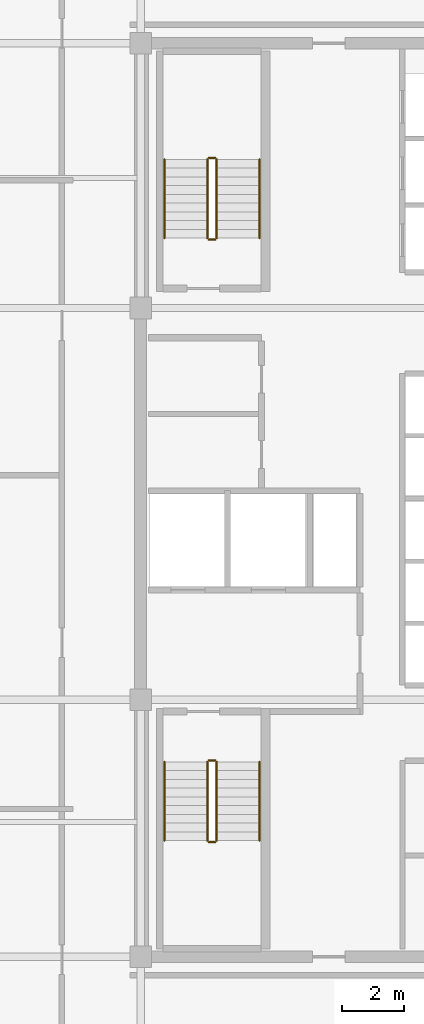
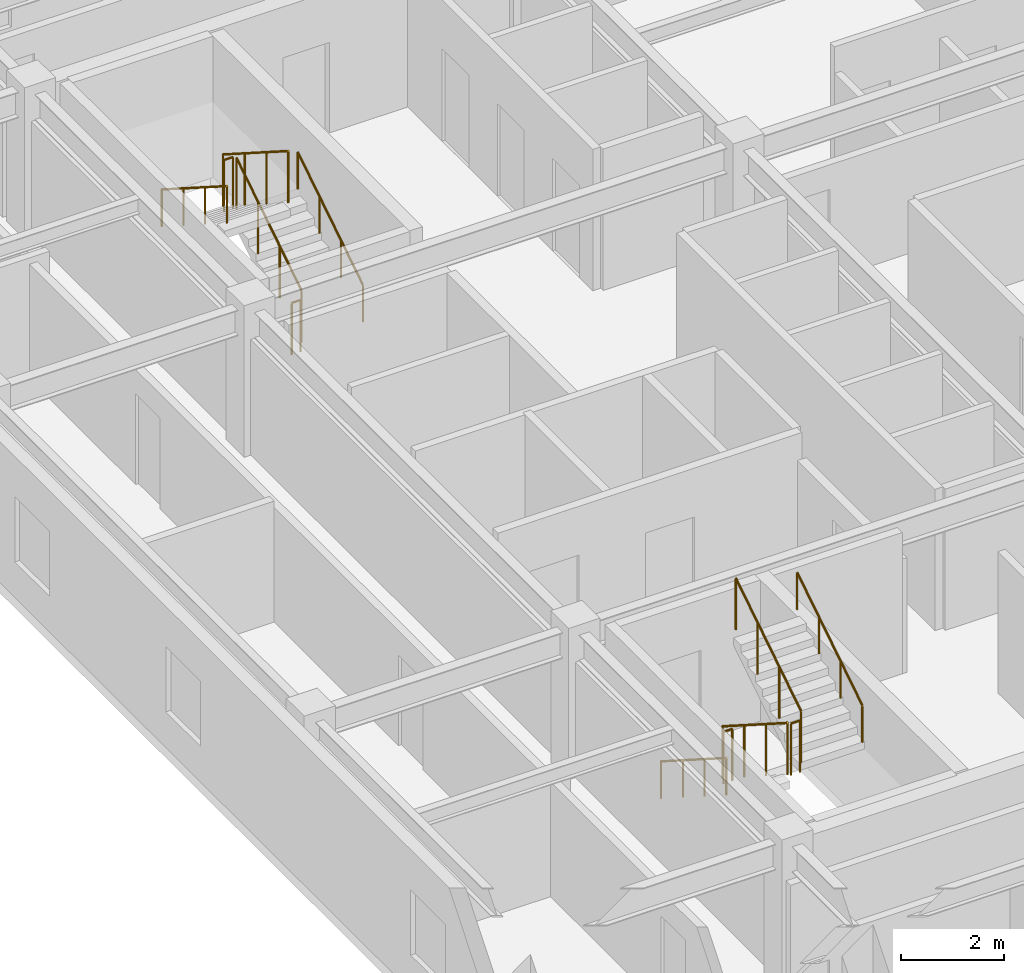
# One storey, part 8 of 8: 12 railings.
"""IFC4 building model written with IfcOpenShell, lengths in metres."""

from ifc_helpers import new_model, si_unit, direction, frame, origin, origin_2d, place, context, subcontext, project, spatial, circle, extrude, material, type_object, element, save


model = new_model("IFC4")

# Units and contexts
model_context = context("Model", 3, precision=1e-05, world=origin(), true_north=direction((0.0, 1.0)))
body_context = subcontext(model_context, "Body", "Model", "MODEL_VIEW")
ifc_project = project(units=[si_unit("LENGTHUNIT", "METRE"), si_unit("AREAUNIT", "SQUARE_METRE"), si_unit("VOLUMEUNIT", "CUBIC_METRE"), si_unit("PLANEANGLEUNIT", "RADIAN"), si_unit("MASSUNIT", "GRAM", prefix="KILO")], contexts=[model_context])

# Site, building, storey
site_placement = place(None, origin())
site = spatial("IfcSite", under=ifc_project, at=site_placement, CompositionType="ELEMENT")
building_placement = place(site_placement, origin())
building = spatial("IfcBuilding", under=site, at=building_placement, Name="Ochreholt Gables", CompositionType="ELEMENT")
storey_placement = place(building_placement, frame((0.0, 0.0, 148.199951171875)))
storey = spatial("IfcBuildingStorey", under=building, at=storey_placement, Name="L38", CompositionType="ELEMENT", Elevation=148.199951171875)

# Railings
ifc_material_1 = material(Name="Painted Steel Stair Guardrail", Category="steel")
railing_type_1 = type_object("IfcRailingType", Name="RL-ST-GUARD", PredefinedType="GUARDRAIL", material=ifc_material_1)
railing_1_placement = place(storey_placement, frame((26.35009765625, 15.5400390625, 0.179931640625)))
element("IfcRailing", 1, at=railing_1_placement, inside=storey, type_object=railing_type_1, Name="L38 ST-1 stair guard 1", PredefinedType="GUARDRAIL", context=body_context, shape_type="SweptSolid", body=[
    extrude(circle(Radius=0.02392578125, at=origin_2d()), frame((0.0, 0.0, 1.22607421875), z_axis=(0.0, -0.842912820907, 0.538050161556), x_axis=(1.0, 0.0, 0.0)), (0.0, 0.0, 1.0), 3.010986328125),
    extrude(circle(Radius=0.02099609375, at=origin_2d()), origin(), (0.0, 0.0, 1.0), 1.201904296875),
    extrude(circle(Radius=0.02099609375, at=origin_2d()), frame((0.0, -0.845947265625, 0.5400390625)), (0.0, 0.0, 1.0), 1.201904296875),
    extrude(circle(Radius=0.02099609375, at=origin_2d()), frame((0.0, -1.692138671875, 1.080078125)), (0.0, 0.0, 1.0), 1.201904296875),
    extrude(circle(Radius=0.02099609375, at=origin_2d()), frame((0.0, -2.5380859375, 1.6201171875)), (0.0, 0.0, 1.0), 1.201904296875),
])
railing_2_placement = place(storey_placement, frame((26.39990234375, 12.951904296875, 1.800048828125)))
element("IfcRailing", 2, at=railing_2_placement, inside=storey, type_object=railing_type_1, Name="L38 ST-1 stair guard 2", PredefinedType="GUARDRAIL", context=body_context, shape_type="SweptSolid", body=[
    extrude(circle(Radius=0.02392578125, at=origin_2d()), frame((0.0, 0.0, 1.22607421875), z_axis=(1.0, 0.0, 0.0), x_axis=(0.0, 1.0, 0.0)), (0.0, 0.0, 1.0), 0.2001953125),
    extrude(circle(Radius=0.02099609375, at=origin_2d()), origin(), (0.0, 0.0, 1.0), 1.201904296875),
    extrude(circle(Radius=0.02099609375, at=origin_2d()), frame((0.2001953125, 0.0, 0.0)), (0.0, 0.0, 1.0), 1.201904296875),
])
railing_3_placement = place(storey_placement, frame((26.64990234375, 13.001953125, 1.97998046875)))
element("IfcRailing", 3, at=railing_3_placement, inside=storey, type_object=railing_type_1, Name="L38 ST-1 stair guard 3", PredefinedType="GUARDRAIL", context=body_context, shape_type="SweptSolid", body=[
    extrude(circle(Radius=0.02392578125, at=origin_2d()), frame((0.0, 0.0, 1.22607421875), z_axis=(0.0, 0.842912820907, 0.538050161556), x_axis=(-1.0, 0.0, 0.0)), (0.0, 0.0, 1.0), 3.010986328125),
    extrude(circle(Radius=0.02099609375, at=origin_2d()), origin(), (0.0, 0.0, 1.0), 1.201904296875),
    extrude(circle(Radius=0.02099609375, at=origin_2d()), frame((0.0, 0.845947265625, 0.5400390625)), (0.0, 0.0, 1.0), 1.201904296875),
    extrude(circle(Radius=0.02099609375, at=origin_2d()), frame((0.0, 1.692138671875, 1.080078125)), (0.0, 0.0, 1.0), 1.201904296875),
    extrude(circle(Radius=0.02099609375, at=origin_2d()), frame((0.0, 2.5380859375, 1.6201171875)), (0.0, 0.0, 1.0), 1.201904296875),
])
railing_4_placement = place(storey_placement, frame((26.39990234375, 15.590087890625, 0.0)))
element("IfcRailing", 4, at=railing_4_placement, inside=storey, type_object=railing_type_1, Name="L38 ST-1 stair guard 4", PredefinedType="GUARDRAIL", context=body_context, shape_type="SweptSolid", body=[
    extrude(circle(Radius=0.02392578125, at=origin_2d()), frame((0.0, 0.0, 1.22607421875), z_axis=(1.0, 0.0, 0.0), x_axis=(0.0, 1.0, 0.0)), (0.0, 0.0, 1.0), 0.2001953125),
    extrude(circle(Radius=0.02099609375, at=origin_2d()), origin(), (0.0, 0.0, 1.0), 1.201904296875),
    extrude(circle(Radius=0.02099609375, at=origin_2d()), frame((0.2001953125, 0.0, 0.0)), (0.0, 0.0, 1.0), 1.201904296875),
])
railing_5_placement = place(storey_placement, frame((26.64990234375, 32.4599609375, 0.179931640625)))
element("IfcRailing", 5, at=railing_5_placement, inside=storey, type_object=railing_type_1, Name="L38 ST-2 stair guard 1", PredefinedType="GUARDRAIL", context=body_context, shape_type="SweptSolid", body=[
    extrude(circle(Radius=0.02392578125, at=origin_2d()), frame((0.0, 0.0, 1.22607421875), z_axis=(0.0, 0.842912820907, 0.538050161556), x_axis=(-1.0, 0.0, 0.0)), (0.0, 0.0, 1.0), 3.010986328125),
    extrude(circle(Radius=0.02099609375, at=origin_2d()), origin(), (0.0, 0.0, 1.0), 1.201904296875),
    extrude(circle(Radius=0.02099609375, at=origin_2d()), frame((0.0, 0.845947265625, 0.5400390625)), (0.0, 0.0, 1.0), 1.201904296875),
    extrude(circle(Radius=0.02099609375, at=origin_2d()), frame((0.0, 1.692138671875, 1.080078125)), (0.0, 0.0, 1.0), 1.201904296875),
    extrude(circle(Radius=0.02099609375, at=origin_2d()), frame((0.0, 2.5380859375, 1.6201171875)), (0.0, 0.0, 1.0), 1.201904296875),
])
railing_6_placement = place(storey_placement, frame((26.60009765625, 35.048095703125, 1.800048828125)))
element("IfcRailing", 6, at=railing_6_placement, inside=storey, type_object=railing_type_1, Name="L38 ST-2 stair guard 2", PredefinedType="GUARDRAIL", context=body_context, shape_type="SweptSolid", body=[
    extrude(circle(Radius=0.02392578125, at=origin_2d()), frame((0.0, 0.0, 1.22607421875), z_axis=(-1.0, 0.0, 0.0), x_axis=(0.0, -1.0, 0.0)), (0.0, 0.0, 1.0), 0.2001953125),
    extrude(circle(Radius=0.02099609375, at=origin_2d()), origin(), (0.0, 0.0, 1.0), 1.201904296875),
    extrude(circle(Radius=0.02099609375, at=origin_2d()), frame((-0.2001953125, 0.0, 0.0)), (0.0, 0.0, 1.0), 1.201904296875),
])
railing_7_placement = place(storey_placement, frame((26.35009765625, 34.998046875, 1.97998046875)))
element("IfcRailing", 7, at=railing_7_placement, inside=storey, type_object=railing_type_1, Name="L38 ST-2 stair guard 3", PredefinedType="GUARDRAIL", context=body_context, shape_type="SweptSolid", body=[
    extrude(circle(Radius=0.02392578125, at=origin_2d()), frame((0.0, 0.0, 1.22607421875), z_axis=(0.0, -0.842912820907, 0.538050161556), x_axis=(1.0, 0.0, 0.0)), (0.0, 0.0, 1.0), 3.010986328125),
    extrude(circle(Radius=0.02099609375, at=origin_2d()), origin(), (0.0, 0.0, 1.0), 1.201904296875),
    extrude(circle(Radius=0.02099609375, at=origin_2d()), frame((0.0, -0.845947265625, 0.5400390625)), (0.0, 0.0, 1.0), 1.201904296875),
    extrude(circle(Radius=0.02099609375, at=origin_2d()), frame((0.0, -1.692138671875, 1.080078125)), (0.0, 0.0, 1.0), 1.201904296875),
    extrude(circle(Radius=0.02099609375, at=origin_2d()), frame((0.0, -2.5380859375, 1.6201171875)), (0.0, 0.0, 1.0), 1.201904296875),
])
railing_8_placement = place(storey_placement, frame((26.60009765625, 32.409912109375, 0.0)))
element("IfcRailing", 8, at=railing_8_placement, inside=storey, type_object=railing_type_1, Name="L38 ST-2 stair guard 4", PredefinedType="GUARDRAIL", context=body_context, shape_type="SweptSolid", body=[
    extrude(circle(Radius=0.02392578125, at=origin_2d()), frame((0.0, 0.0, 1.22607421875), z_axis=(-1.0, 0.0, 0.0), x_axis=(0.0, -1.0, 0.0)), (0.0, 0.0, 1.0), 0.2001953125),
    extrude(circle(Radius=0.02099609375, at=origin_2d()), origin(), (0.0, 0.0, 1.0), 1.201904296875),
    extrude(circle(Radius=0.02099609375, at=origin_2d()), frame((-0.2001953125, 0.0, 0.0)), (0.0, 0.0, 1.0), 1.201904296875),
])
ifc_material_2 = material(Name="Brushed Stainless Steel Wall Handrail", Category="steel")
railing_type_2 = type_object("IfcRailingType", Name="RL-ST-HAND", PredefinedType="HANDRAIL", material=ifc_material_2)
railing_9_placement = place(storey_placement, frame((24.969970703125, 15.5400390625, 0.179931640625)))
element("IfcRailing", 9, at=railing_9_placement, inside=storey, type_object=railing_type_2, Name="L38 ST-1 stair handrail 1", PredefinedType="HANDRAIL", context=body_context, shape_type="SweptSolid", body=[
    extrude(circle(Radius=0.02392578125, at=origin_2d()), frame((0.0, 0.0, 0.8759765625), z_axis=(0.0, -0.842912820907, 0.538050161556), x_axis=(1.0, 0.0, 0.0)), (0.0, 0.0, 1.0), 3.010986328125),
    extrude(circle(Radius=0.02099609375, at=origin_2d()), origin(), (0.0, 0.0, 1.0), 0.851806640625),
    extrude(circle(Radius=0.02099609375, at=origin_2d()), frame((0.0, -0.845947265625, 0.5400390625)), (0.0, 0.0, 1.0), 0.851806640625),
    extrude(circle(Radius=0.02099609375, at=origin_2d()), frame((0.0, -1.692138671875, 1.080078125)), (0.0, 0.0, 1.0), 0.851806640625),
    extrude(circle(Radius=0.02099609375, at=origin_2d()), frame((0.0, -2.5380859375, 1.6201171875)), (0.0, 0.0, 1.0), 0.851806640625),
])
for number, where, name in (
    (10, (28.030029296875, 13.001953125, 1.97998046875), "L38 ST-1 stair handrail 2"),
    (11, (28.030029296875, 32.4599609375, 0.179931640625), "L38 ST-2 stair handrail 1"),
):
    element("IfcRailing", number, at=place(storey_placement, frame(where)), inside=storey, type_object=railing_type_2, Name=name, PredefinedType="HANDRAIL", context=body_context, shape_type="SweptSolid", body=[
        extrude(circle(Radius=0.02392578125, at=origin_2d()), frame((0.0, 0.0, 0.8759765625), z_axis=(0.0, 0.842912820907, 0.538050161556), x_axis=(-1.0, 0.0, 0.0)), (0.0, 0.0, 1.0), 3.010986328125),
        extrude(circle(Radius=0.02099609375, at=origin_2d()), origin(), (0.0, 0.0, 1.0), 0.851806640625),
        extrude(circle(Radius=0.02099609375, at=origin_2d()), frame((0.0, 0.845947265625, 0.5400390625)), (0.0, 0.0, 1.0), 0.851806640625),
        extrude(circle(Radius=0.02099609375, at=origin_2d()), frame((0.0, 1.692138671875, 1.080078125)), (0.0, 0.0, 1.0), 0.851806640625),
        extrude(circle(Radius=0.02099609375, at=origin_2d()), frame((0.0, 2.5380859375, 1.6201171875)), (0.0, 0.0, 1.0), 0.851806640625),
    ])
railing_10_placement = place(storey_placement, frame((24.969970703125, 34.998046875, 1.97998046875)))
element("IfcRailing", 12, at=railing_10_placement, inside=storey, type_object=railing_type_2, Name="L38 ST-2 stair handrail 2", PredefinedType="HANDRAIL", context=body_context, shape_type="SweptSolid", body=[
    extrude(circle(Radius=0.02392578125, at=origin_2d()), frame((0.0, 0.0, 0.8759765625), z_axis=(0.0, -0.842912820907, 0.538050161556), x_axis=(1.0, 0.0, 0.0)), (0.0, 0.0, 1.0), 3.010986328125),
    extrude(circle(Radius=0.02099609375, at=origin_2d()), origin(), (0.0, 0.0, 1.0), 0.851806640625),
    extrude(circle(Radius=0.02099609375, at=origin_2d()), frame((0.0, -0.845947265625, 0.5400390625)), (0.0, 0.0, 1.0), 0.851806640625),
    extrude(circle(Radius=0.02099609375, at=origin_2d()), frame((0.0, -1.692138671875, 1.080078125)), (0.0, 0.0, 1.0), 0.851806640625),
    extrude(circle(Radius=0.02099609375, at=origin_2d()), frame((0.0, -2.5380859375, 1.6201171875)), (0.0, 0.0, 1.0), 0.851806640625),
])

save(model, "model.ifc")
